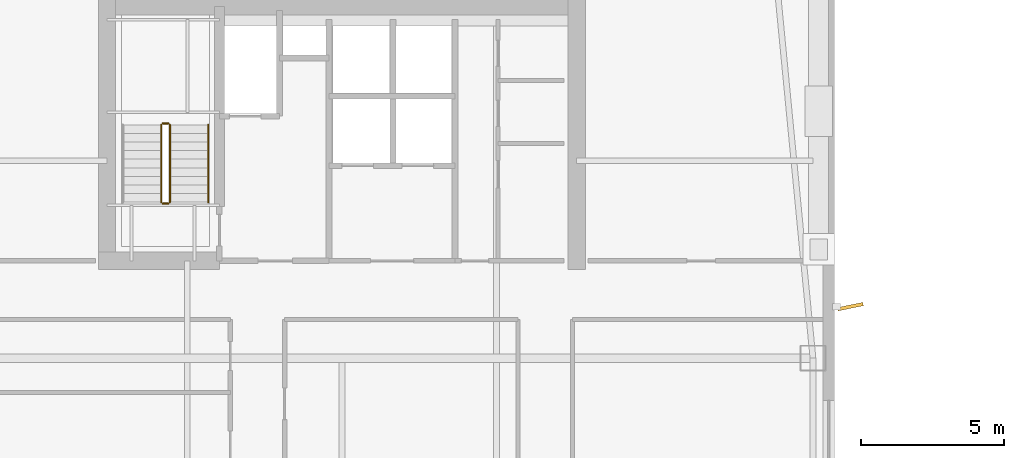
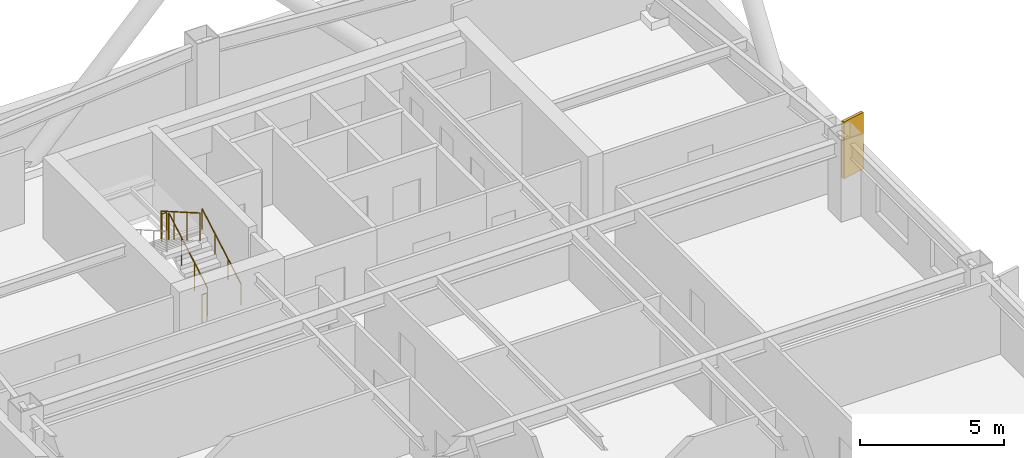
# One storey, part 16 of 18: 5 railings, 1 shading device.
"""IFC4 building model written with IfcOpenShell, lengths in metres."""

from ifc_helpers import new_model, si_unit, direction, frame, origin, origin_2d, place, context, subcontext, project, spatial, rectangle, circle, extrude, material, layer, layer_set, type_object, element, save


model = new_model("IFC4")

# Units and contexts
model_context = context("Model", 3, precision=1e-05, world=origin(), true_north=direction((0.0, 1.0)))
body_context = subcontext(model_context, "Body", "Model", "MODEL_VIEW")
ifc_project = project(units=[si_unit("LENGTHUNIT", "METRE"), si_unit("AREAUNIT", "SQUARE_METRE"), si_unit("VOLUMEUNIT", "CUBIC_METRE"), si_unit("PLANEANGLEUNIT", "RADIAN"), si_unit("MASSUNIT", "GRAM", prefix="KILO")], contexts=[model_context])

# Site, building, storey
site_placement = place(None, origin())
site = spatial("IfcSite", under=ifc_project, at=site_placement, CompositionType="ELEMENT")
building_placement = place(site_placement, origin())
building = spatial("IfcBuilding", under=site, at=building_placement, Name="Qiaolan Cultural Towers", CompositionType="ELEMENT")
storey_placement = place(building_placement, frame((0.0, 0.0, 173.64990234375)))
storey = spatial("IfcBuildingStorey", under=building, at=storey_placement, Name="L46", CompositionType="ELEMENT", Elevation=173.64990234375)

# Railings
ifc_material_1 = material(Name="Galvanized Painted Steel Stair Guardrail", Category="steel")
railing_type_1 = type_object("IfcRailingType", Name="RL-STAIR-GRD", PredefinedType="GUARDRAIL", material=ifc_material_1)
railing_1_placement = place(storey_placement, frame((23.989990234375, 48.449951171875, 0.172607421875)))
element("IfcRailing", 1, at=railing_1_placement, inside=storey, type_object=railing_type_1, Name="L46 ST-W2 stair guard 1", PredefinedType="GUARDRAIL", context=body_context, shape_type="SweptSolid", body=[
    extrude(circle(Radius=0.02392578125, at=origin_2d()), frame((0.0, 0.0, 1.17578125), z_axis=(0.0, 0.866903762492, 0.498475542607), x_axis=(-1.0, 0.0, 0.0)), (0.0, 0.0, 1.0), 3.114501953125),
    extrude(circle(Radius=0.02099609375, at=origin_2d()), origin(), (0.0, 0.0, 1.0), 1.15185546875),
    extrude(circle(Radius=0.02099609375, at=origin_2d()), frame((0.0, 0.89990234375, 0.517578125)), (0.0, 0.0, 1.0), 1.15185546875),
    extrude(circle(Radius=0.02099609375, at=origin_2d()), frame((0.0, 1.800048828125, 1.034912109375)), (0.0, 0.0, 1.0), 1.15185546875),
    extrude(circle(Radius=0.02099609375, at=origin_2d()), frame((0.0, 2.699951171875, 1.552490234375)), (0.0, 0.0, 1.0), 1.15185546875),
])
railing_2_placement = place(storey_placement, frame((23.93994140625, 51.199951171875, 1.72509765625)))
element("IfcRailing", 2, at=railing_2_placement, inside=storey, type_object=railing_type_1, Name="L46 ST-W2 stair guard 2", PredefinedType="GUARDRAIL", context=body_context, shape_type="SweptSolid", body=[
    extrude(circle(Radius=0.02392578125, at=origin_2d()), frame((0.0, 0.0, 1.17578125), z_axis=(-1.0, 0.0, 0.0), x_axis=(0.0, -1.0, 0.0)), (0.0, 0.0, 1.0), 0.199951171875),
    extrude(circle(Radius=0.02099609375, at=origin_2d()), origin(), (0.0, 0.0, 1.0), 1.15185546875),
    extrude(circle(Radius=0.02099609375, at=origin_2d()), frame((-0.199951171875, 0.0, 0.0)), (0.0, 0.0, 1.0), 1.15185546875),
])
railing_3_placement = place(storey_placement, frame((23.68994140625, 51.14990234375, 1.897705078125)))
element("IfcRailing", 3, at=railing_3_placement, inside=storey, type_object=railing_type_1, Name="L46 ST-W2 stair guard 3", PredefinedType="GUARDRAIL", context=body_context, shape_type="SweptSolid", body=[
    extrude(circle(Radius=0.02392578125, at=origin_2d()), frame((0.0, 0.0, 1.17578125), z_axis=(0.0, -0.866903762492, 0.498475542607), x_axis=(1.0, 0.0, 0.0)), (0.0, 0.0, 1.0), 3.114501953125),
    extrude(circle(Radius=0.02099609375, at=origin_2d()), origin(), (0.0, 0.0, 1.0), 1.15185546875),
    extrude(circle(Radius=0.02099609375, at=origin_2d()), frame((0.0, -0.89990234375, 0.517578125)), (0.0, 0.0, 1.0), 1.15185546875),
    extrude(circle(Radius=0.02099609375, at=origin_2d()), frame((0.0, -1.800048828125, 1.034912109375)), (0.0, 0.0, 1.0), 1.15185546875),
    extrude(circle(Radius=0.02099609375, at=origin_2d()), frame((0.0, -2.699951171875, 1.552490234375)), (0.0, 0.0, 1.0), 1.15185546875),
])
railing_4_placement = place(storey_placement, frame((23.93994140625, 48.39990234375, 0.0)))
element("IfcRailing", 4, at=railing_4_placement, inside=storey, type_object=railing_type_1, Name="L46 ST-W2 stair guard 4", PredefinedType="GUARDRAIL", context=body_context, shape_type="SweptSolid", body=[
    extrude(circle(Radius=0.02392578125, at=origin_2d()), frame((0.0, 0.0, 1.17578125), z_axis=(-1.0, 0.0, 0.0), x_axis=(0.0, -1.0, 0.0)), (0.0, 0.0, 1.0), 0.199951171875),
    extrude(circle(Radius=0.02099609375, at=origin_2d()), origin(), (0.0, 0.0, 1.0), 1.15185546875),
    extrude(circle(Radius=0.02099609375, at=origin_2d()), frame((-0.199951171875, 0.0, 0.0)), (0.0, 0.0, 1.0), 1.15185546875),
])
ifc_material_2 = material(Name="Stainless Steel S30408 Tubular Handrail", Category="steel")
railing_type_2 = type_object("IfcRailingType", Name="RL-STAIR-HR", PredefinedType="HANDRAIL", material=ifc_material_2)
railing_5_placement = place(storey_placement, frame((25.330078125, 48.449951171875, 0.172607421875)))
element("IfcRailing", 5, at=railing_5_placement, inside=storey, type_object=railing_type_2, Name="L46 ST-W2 stair handrail 1", PredefinedType="HANDRAIL", context=body_context, shape_type="SweptSolid", body=[
    extrude(circle(Radius=0.02392578125, at=origin_2d()), frame((0.0, 0.0, 0.8759765625), z_axis=(0.0, 0.866903762492, 0.498475542607), x_axis=(-1.0, 0.0, 0.0)), (0.0, 0.0, 1.0), 3.114501953125),
    extrude(circle(Radius=0.02099609375, at=origin_2d()), origin(), (0.0, 0.0, 1.0), 0.851806640625),
    extrude(circle(Radius=0.02099609375, at=origin_2d()), frame((0.0, 0.89990234375, 0.517578125)), (0.0, 0.0, 1.0), 0.851806640625),
    extrude(circle(Radius=0.02099609375, at=origin_2d()), frame((0.0, 1.800048828125, 1.034912109375)), (0.0, 0.0, 1.0), 0.851806640625),
    extrude(circle(Radius=0.02099609375, at=origin_2d()), frame((0.0, 2.699951171875, 1.552490234375)), (0.0, 0.0, 1.0), 0.851806640625),
])

# Shading device
ifc_material_3 = material(Name="Pierced Warm Terracotta Acoustic Fin", Category="masonry")
ifc_layer = layer(ifc_material_3, 0.1201171875)
ifc_layer_set = layer_set([ifc_layer], Name="Pierced Warm Terracotta Acoustic Fin")
shading_device_type = type_object("IfcShadingDeviceType", Name="SHD-FIN-PIERCED", PredefinedType="USERDEFINED", material=ifc_layer_set)
shading_device_placement = place(storey_placement, frame((47.760009765625, 44.800048828125, 0.10009765625), z_axis=(0.0, 0.0, 1.0), x_axis=(0.979957166978, 0.19920831029, 0.0)))
element("IfcShadingDevice", 6, at=shading_device_placement, inside=storey, type_object=shading_device_type, Name="L46 T1 Expressive Precast Vertical Fin E3", ObjectType="FIN", PredefinedType="USERDEFINED", context=body_context, shape_type="SweptSolid", body=[
    extrude(rectangle(XDim=0.89990234375, YDim=0.1201171875, at=origin_2d()), origin(), (0.0, 0.0, 1.0), 2.409912109375),
])

save(model, "model.ifc")
